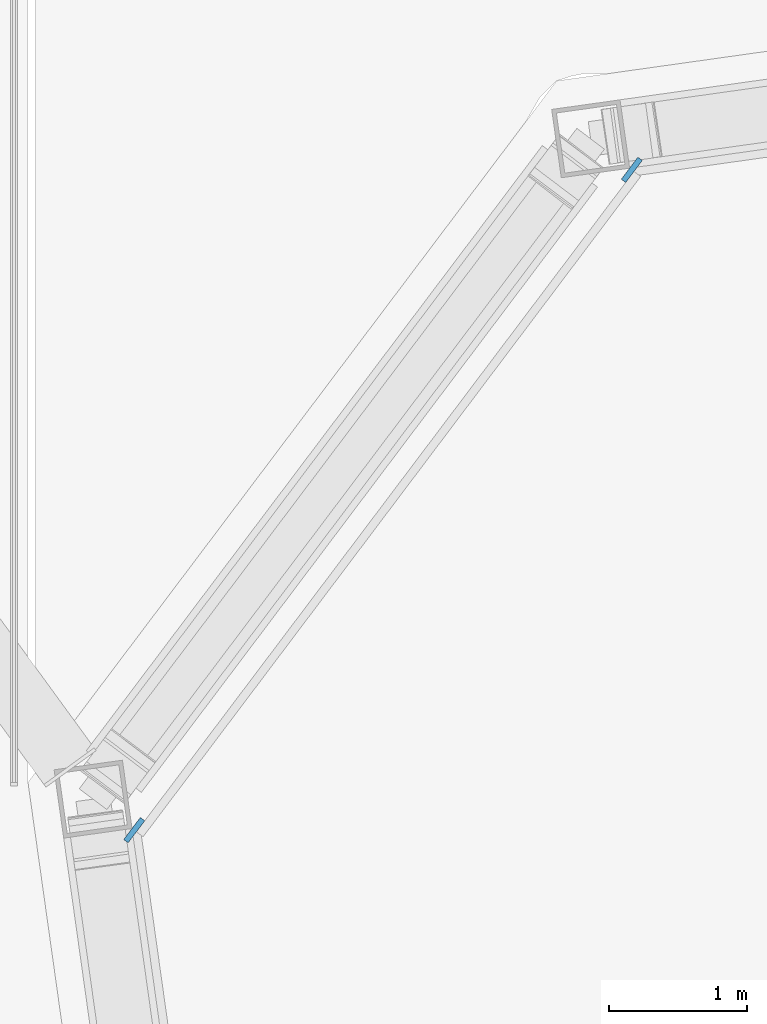
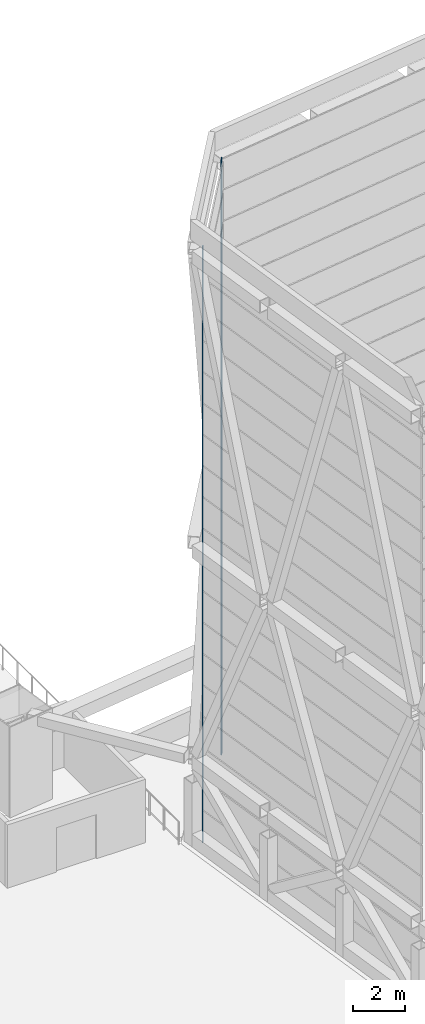
# One storey, part 28 of 45: 2 discrete accessories.
"""IFC4 building model written with IfcOpenShell, lengths in metres."""

from ifc_helpers import new_model, si_unit, direction, frame, origin, origin_2d, place, context, subcontext, project, spatial, rectangle, extrude, material, layer, layer_set, type_object, element, save


model = new_model("IFC4")

# Units and contexts
model_context = context("Model", 3, precision=1e-05, world=origin(), true_north=direction((0.0, 1.0)))
body_context = subcontext(model_context, "Body", "Model", "MODEL_VIEW")
ifc_project = project(units=[si_unit("LENGTHUNIT", "METRE"), si_unit("AREAUNIT", "SQUARE_METRE"), si_unit("VOLUMEUNIT", "CUBIC_METRE"), si_unit("PLANEANGLEUNIT", "RADIAN"), si_unit("MASSUNIT", "GRAM", prefix="KILO")], contexts=[model_context])

# Site, building, storey
site_placement = place(None, origin())
site = spatial("IfcSite", under=ifc_project, at=site_placement, CompositionType="ELEMENT")
building_placement = place(site_placement, origin())
building = spatial("IfcBuilding", under=site, at=building_placement, Name="Mirante Cascada Hotel Towers", CompositionType="ELEMENT")
storey_placement = place(building_placement, frame((0.0, 0.0, 269.8)))
storey = spatial("IfcBuildingStorey", under=building, at=storey_placement, Name="Roof garden", CompositionType="ELEMENT", Elevation=269.8)

# Discrete accessories
ifc_material = material(Name="Stainless steel AISI 316", Category="steel")
ifc_layer = layer(ifc_material, 0.04)
ifc_layer_set = layer_set([ifc_layer], Name="Support bracket 200x40")
discrete_accessory_type = type_object("IfcDiscreteAccessoryType", Name="Support bracket 200x40", PredefinedType="BRACKET", material=ifc_layer_set)
for number, where, z_axis, x_axis, name in (
    (1, (13.0213, 9.8013, 0.05), (0.0, 0.0, 1.0), (0.601815, 0.7986355, 0.0), "Louvre support bracket T2"),
    (2, (16.6268, 14.5861, 0.05), (0.0, 0.0, 1.0), (0.601815, 0.7986355, 0.0), "Louvre support bracket T2"),
):
    element("IfcDiscreteAccessory", number, at=place(storey_placement, frame(where, z_axis=z_axis, x_axis=x_axis)), inside=storey, type_object=discrete_accessory_type, Name=name, PredefinedType="BRACKET", context=body_context, shape_type="SweptSolid", body=[
        extrude(rectangle(XDim=0.2, YDim=0.04, at=origin_2d()), origin(), (0.0, 0.0, 1.0), 28.2),
    ])

save(model, "model.ifc")
